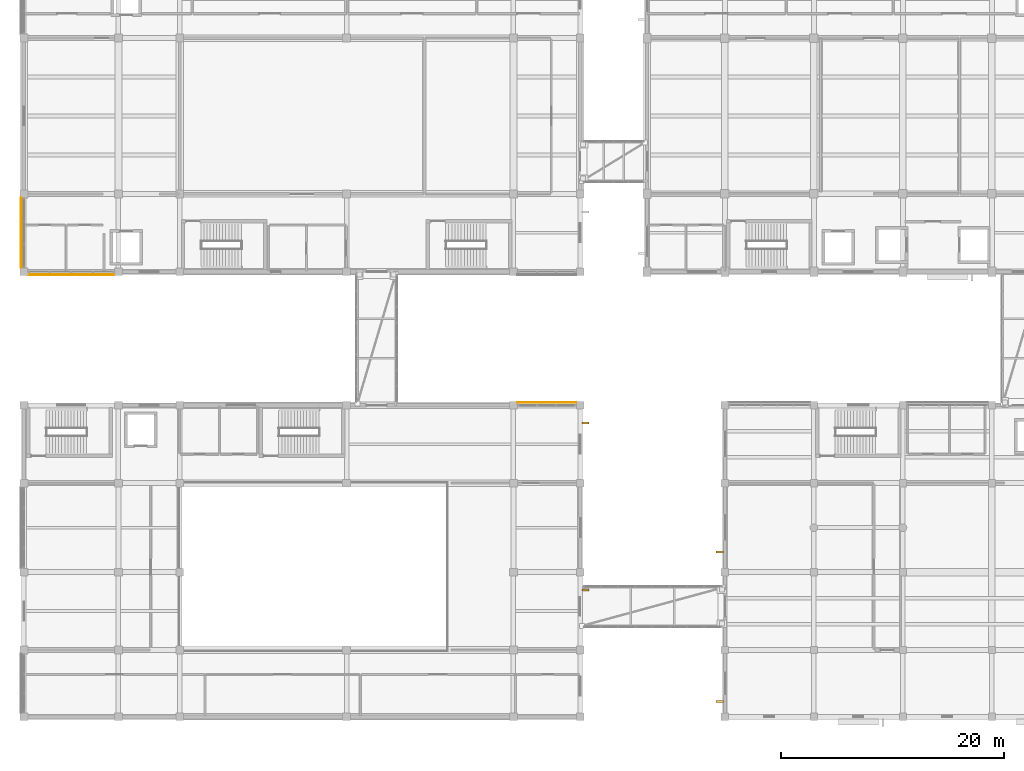
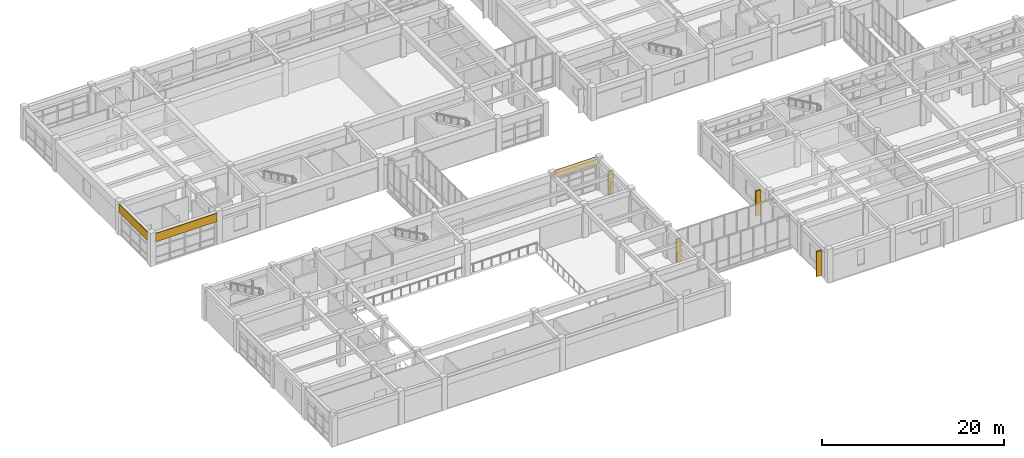
# One storey, part 61 of 70: 4 shading devices, 3 coverings.
"""IFC4 building model written with IfcOpenShell, lengths in metres."""

import ifcopenshell
import ifcopenshell.guid

model = None  # the IFC model being written
_history = None  # IfcOwnerHistory: only IFC2X3 demands one
_inside = {}  # id of a spatial element -> (the spatial element, [elements in it])
_under = {}  # id of a project, library or spatial element -> (it, [spatial elements below it])
_declared = {}  # id of a project -> (the project, [libraries it declares])
_typed = {}  # id of a type object -> (the type object, [elements of that type])
_made_of = {}  # id of a material, layer set ... -> (it, [elements and type objects made of it])


def new_model(schema):
    """Start an empty IFC model of exactly this schema.

    Asked for "IFC4X3", IfcOpenShell would pick the latest addendum, in which some entities
    have other attributes; the version numbers below select the first issue.
    IFC2X3 requires an IfcOwnerHistory on every rooted entity: one is made here for all.
    """
    global model, _history
    if schema == "IFC4X3":
        model = ifcopenshell.file(schema_version=(4, 3, 0, 0))
    else:
        model = ifcopenshell.file(schema=schema)
    _inside.clear()
    _under.clear()
    _declared.clear()
    _typed.clear()
    _made_of.clear()
    _history = None
    if model.schema == "IFC2X3":
        org = make("IfcOrganization", Name="unknown")
        user = make(
            "IfcPersonAndOrganization",
            ThePerson=make("IfcPerson", FamilyName="unknown"),
            TheOrganization=org,
        )
        app = make(
            "IfcApplication",
            ApplicationDeveloper=org,
            Version="unknown",
            ApplicationFullName="unknown",
            ApplicationIdentifier="unknown",
        )
        _history = make(
            "IfcOwnerHistory",
            OwningUser=user,
            OwningApplication=app,
            ChangeAction="ADDED",
            CreationDate=0,
        )
    return model


def make(cls, **values):
    """One entity of the class cls with the attributes given. An attribute that is None is left unset."""
    return model.create_entity(
        cls, **{name: value for name, value in values.items() if value is not None}
    )


def rooted(cls, **values):
    """An entity with a GlobalId (a new one), such as an element, a storey or a relation."""
    return make(cls, GlobalId=ifcopenshell.guid.new(), OwnerHistory=_history, **values)


def si_unit(unit_type, name, prefix=None):
    """IfcSIUnit, for example si_unit("LENGTHUNIT", "METRE", prefix="MILLI")."""
    return make("IfcSIUnit", UnitType=unit_type, Prefix=prefix, Name=name)


def assignment(units):
    """IfcUnitAssignment: the units of a project."""
    return None if units is None else make("IfcUnitAssignment", Units=units)


def point(xyz):
    """IfcCartesianPoint."""
    return None if xyz is None else make("IfcCartesianPoint", Coordinates=xyz)


def direction(xyz):
    """IfcDirection."""
    return None if xyz is None else make("IfcDirection", DirectionRatios=xyz)


def frame(location, z_axis=None, x_axis=None):
    """IfcAxis2Placement3D, a coordinate frame: its origin and axes. An axis left out is left unset."""
    return make(
        "IfcAxis2Placement3D",
        Location=point(location),
        Axis=direction(z_axis),
        RefDirection=direction(x_axis),
    )


def frame_2d(location, x_axis=None):
    """IfcAxis2Placement2D, a coordinate frame in the plane: its origin and x axis."""
    return make(
        "IfcAxis2Placement2D", Location=point(location), RefDirection=direction(x_axis)
    )


def origin():
    """The frame at (0, 0, 0) with its axes left unset."""
    return frame((0.0, 0.0, 0.0))


def origin_2d():
    """The frame at (0, 0) in the plane with its x axis left unset."""
    return frame_2d((0.0, 0.0))


def place(relative_to, where):
    """IfcLocalPlacement: puts the frame where relative to a parent placement (None: the world)."""
    return make(
        "IfcLocalPlacement", PlacementRelTo=relative_to, RelativePlacement=where
    )


def context(
    kind, dimensions, precision=None, world=None, true_north=None, identifier=None
):
    """IfcGeometricRepresentationContext, for example the 3D "Model" context."""
    return make(
        "IfcGeometricRepresentationContext",
        ContextIdentifier=identifier,
        ContextType=kind,
        CoordinateSpaceDimension=dimensions,
        Precision=precision,
        WorldCoordinateSystem=world,
        TrueNorth=true_north,
    )


def subcontext(parent, identifier, kind, view, scale=None):
    """IfcGeometricRepresentationSubContext, for example "Body" below "Model"."""
    return make(
        "IfcGeometricRepresentationSubContext",
        ContextIdentifier=identifier,
        ContextType=kind,
        ParentContext=parent,
        TargetScale=scale,
        TargetView=view,
    )


def project(units=None, contexts=None):
    """IfcProject with its units and contexts."""
    return rooted(
        "IfcProject",
        Name="project",
        RepresentationContexts=contexts,
        UnitsInContext=assignment(units),
    )


def spatial(cls, under=None, at=None, **own):
    """A site, building, storey or space (cls), placed at a placement, below another one or the project."""
    s = rooted(cls, ObjectPlacement=at, **own)
    if under is not None:
        _under.setdefault(under.id(), (under, []))[1].append(s)
    return s


def profile(cls, at=None, kind="AREA", **sizes):
    """A parametric profile (cls). Its sizes go by their IFC names, for example OverallWidth=200.0."""
    return make(cls, ProfileType=kind, Position=at, **sizes)


def rectangle(**sizes):
    """IfcRectangleProfileDef."""
    return profile("IfcRectangleProfileDef", **sizes)


def extrude(swept, where, along, depth):
    """IfcExtrudedAreaSolid: the profile swept, set in the frame where, extruded along a direction by depth."""
    return make(
        "IfcExtrudedAreaSolid",
        SweptArea=swept,
        Position=where,
        ExtrudedDirection=direction(along),
        Depth=depth,
    )


def shape(context_of_items, identifier, shape_type, items):
    """IfcShapeRepresentation: the items that make up one representation, for example the "Body"."""
    return make(
        "IfcShapeRepresentation",
        ContextOfItems=context_of_items,
        RepresentationIdentifier=identifier,
        RepresentationType=shape_type,
        Items=items,
    )


def material(Name=None, Category=None):
    """IfcMaterial."""
    return make("IfcMaterial", Name=Name, Category=Category)


def layer(
    of_material, thickness, ventilated=None, Name=None, Category=None, Priority=None
):
    """IfcMaterialLayer: one layer of a wall or slab, of a material (None: an air gap)."""
    return make(
        "IfcMaterialLayer",
        Material=of_material,
        LayerThickness=thickness,
        IsVentilated=ventilated,
        Name=Name,
        Category=Category,
        Priority=Priority,
    )


def layer_set(layers, Name=None):
    """IfcMaterialLayerSet."""
    return make("IfcMaterialLayerSet", MaterialLayers=layers, LayerSetName=Name)


def made_of(thing, what):
    """Note that an element or type object is made of a material, layer set ...; save() writes the relation."""
    if what is not None:
        _made_of.setdefault(what.id(), (what, []))[1].append(thing)
    return thing


def type_object(cls, material=None, **own):
    """A type object (cls), such as IfcWallType, which elements share."""
    return made_of(rooted(cls, **own), material)


def element(
    cls,
    number,
    at=None,
    inside=None,
    cuts=None,
    type_object=None,
    material=None,
    context=None,
    identifier="Body",
    shape_type=None,
    held_by="IfcProductDefinitionShape",
    body=None,
    shapes=None,
    **own,
):
    """One element of the class cls, such as IfcWall. Its Tag is "e" and its number.

    at: its placement. inside: the storey or other place that contains it. cuts: it is an
    opening in that element (IfcRelVoidsElement). A single representation is given by context,
    identifier, shape_type and body (its items); several are given by shapes. held_by: the class
    of the entity that holds the representations. save() writes the other relations.
    """
    e = rooted(cls, Tag="e%d" % number, ObjectPlacement=at, **own)
    if body is not None:
        shapes = [shape(context, identifier, shape_type, body)]
    if shapes is not None:
        e.Representation = make(held_by, Representations=shapes)
    if inside is not None:
        _inside.setdefault(inside.id(), (inside, []))[1].append(e)
    if cuts is not None:
        rooted(
            "IfcRelVoidsElement", RelatingBuildingElement=cuts, RelatedOpeningElement=e
        )
    if type_object is not None:
        _typed.setdefault(type_object.id(), (type_object, []))[1].append(e)
    return made_of(e, material)


def aggregate(whole, parts):
    """IfcRelAggregates: a whole, such as a stair, and the parts it consists of."""
    return rooted("IfcRelAggregates", RelatingObject=whole, RelatedObjects=parts)


def save(model, path):
    """Write the relations noted so far, then the file.

    IfcRelAggregates (storeys below a building ...), IfcRelContainedInSpatialStructure (elements
    in a storey), IfcRelDefinesByType, IfcRelAssociatesMaterial and IfcRelDeclares: one each for
    every whole, place, type object, material and project.
    """
    for whole, parts in _under.values():
        aggregate(whole, parts)
    for where, things in _inside.values():
        rooted(
            "IfcRelContainedInSpatialStructure",
            RelatedElements=things,
            RelatingStructure=where,
        )
    for kind, things in _typed.values():
        rooted("IfcRelDefinesByType", RelatedObjects=things, RelatingType=kind)
    for what, things in _made_of.values():
        rooted("IfcRelAssociatesMaterial", RelatedObjects=things, RelatingMaterial=what)
    for by, libraries in _declared.values():
        rooted("IfcRelDeclares", RelatingContext=by, RelatedDefinitions=libraries)
    model.write(path)


model = new_model("IFC4")

# Units and contexts
model_context = context("Model", 3, precision=1e-05, world=origin(), true_north=direction((0.0, 1.0)))
body_context = subcontext(model_context, "Body", "Model", "MODEL_VIEW")
ifc_project = project(units=[si_unit("LENGTHUNIT", "METRE"), si_unit("AREAUNIT", "SQUARE_METRE"), si_unit("VOLUMEUNIT", "CUBIC_METRE"), si_unit("PLANEANGLEUNIT", "RADIAN"), si_unit("MASSUNIT", "GRAM", prefix="KILO")], contexts=[model_context])

# Site, building, storey
site_placement = place(None, origin())
site = spatial("IfcSite", under=ifc_project, at=site_placement, CompositionType="ELEMENT")
building_placement = place(site_placement, origin())
building = spatial("IfcBuilding", under=site, at=building_placement, Name="Naurynzar Civic Courthouse", CompositionType="ELEMENT")
storey_placement = place(building_placement, frame((0.0, 0.0, 5.39990234375)))
storey = spatial("IfcBuildingStorey", under=building, at=storey_placement, Name="L02", CompositionType="ELEMENT", Elevation=5.39990234375)

# Coverings
ifc_material_1 = material(Name="Precast concrete C40/50", Category="concrete")
ifc_layer = layer(ifc_material_1, 0.080078125)
ifc_layer_set = layer_set([ifc_layer], Name="COV-CLAD-PRECAST-80")
covering_type = type_object("IfcCoveringType", Name="COV-CLAD-PRECAST-80", PredefinedType="CLADDING", material=ifc_layer_set)
covering_1_placement = place(storey_placement, frame((5.7451171875, 47.5, 3.110107421875), z_axis=(0.0, 0.0, 1.0), x_axis=(0.0, 1.0, 0.0)))
element("IfcCovering", 1, at=covering_1_placement, inside=storey, type_object=covering_type, Name="V1 precast spandrel cladding 1", PredefinedType="CLADDING", context=body_context, shape_type="SweptSolid", body=[
    extrude(rectangle(XDim=6.300048828125, YDim=0.080078125, at=origin_2d()), origin(), (0.0, 0.0, 1.0), 1.1298828125),
])
covering_2_placement = place(storey_placement, frame((10.25, 43.7451171875, 3.110107421875), z_axis=(0.0, 0.0, 1.0), x_axis=(-1.0, 0.0, 0.0)))
element("IfcCovering", 2, at=covering_2_placement, inside=storey, type_object=covering_type, Name="V1 precast spandrel cladding 6", PredefinedType="CLADDING", context=body_context, shape_type="SweptSolid", body=[
    extrude(rectangle(XDim=7.800048828125, YDim=0.080078125, at=origin_2d()), origin(), (0.0, 0.0, 1.0), 1.1298828125),
])
covering_3_placement = place(storey_placement, frame((53.0, 32.2548828125, 3.260009765625), z_axis=(0.0, 0.0, 1.0), x_axis=(1.0, 0.0, 0.0)))
element("IfcCovering", 3, at=covering_3_placement, inside=storey, type_object=covering_type, Name="V4 precast spandrel cladding 76", PredefinedType="CLADDING", context=body_context, shape_type="SweptSolid", body=[
    extrude(rectangle(XDim=5.300048828125, YDim=0.080078125, at=origin_2d()), origin(), (0.0, 0.0, 1.0), 0.97998046875),
])

# Shading devices
ifc_material_2 = material(Name="Precast concrete C40/50", Category="concrete")
shading_device_type = type_object("IfcShadingDeviceType", Name="SHD-FIN-V650", PredefinedType="JALOUSIE", material=ifc_material_2)
for number, where, z_axis, x_axis, name in (
    (4, (68.550048828125, 5.39501953125, 0.0400390625), (0.0, 0.0, 1.0), (0.0, 1.0, 0.0), "V3 vertical brise-soleil fin 34"),
    (5, (68.550048828125, 18.794921875, 0.0400390625), (0.0, 0.0, 1.0), (0.0, 1.0, 0.0), "V3 vertical brise-soleil fin 35"),
):
    element("IfcShadingDevice", number, at=place(storey_placement, frame(where, z_axis=z_axis, x_axis=x_axis)), inside=storey, type_object=shading_device_type, Name=name, PredefinedType="JALOUSIE", context=body_context, shape_type="SweptSolid", body=[
        extrude(rectangle(XDim=0.179931640625, YDim=0.64990234375, at=origin_2d()), origin(), (0.0, 0.0, 1.0), 3.360107421875),
    ])
for number, where, z_axis, x_axis, name in (
    (6, (56.47998046875, 30.389892578125, 0.0400390625), (0.0, 0.0, 1.0), (0.0, -1.0, 0.0), "V4 vertical brise-soleil fin 64"),
    (7, (56.47998046875, 15.389892578125, 0.0400390625), (0.0, 0.0, 1.0), (0.0, -1.0, 0.0), "V4 vertical brise-soleil fin 65"),
):
    element("IfcShadingDevice", number, at=place(storey_placement, frame(where, z_axis=z_axis, x_axis=x_axis)), inside=storey, type_object=shading_device_type, Name=name, PredefinedType="JALOUSIE", context=body_context, shape_type="SweptSolid", body=[
        extrude(rectangle(XDim=0.179931640625, YDim=0.64990234375, at=origin_2d()), origin(), (0.0, 0.0, 1.0), 3.179931640625),
    ])

save(model, "model.ifc")
